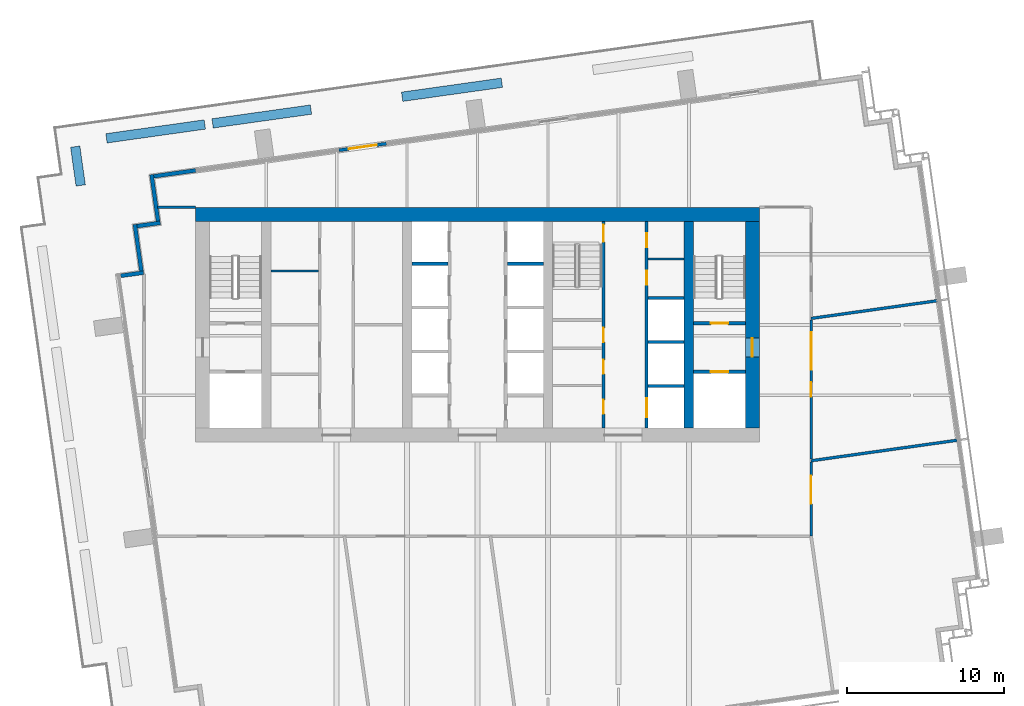
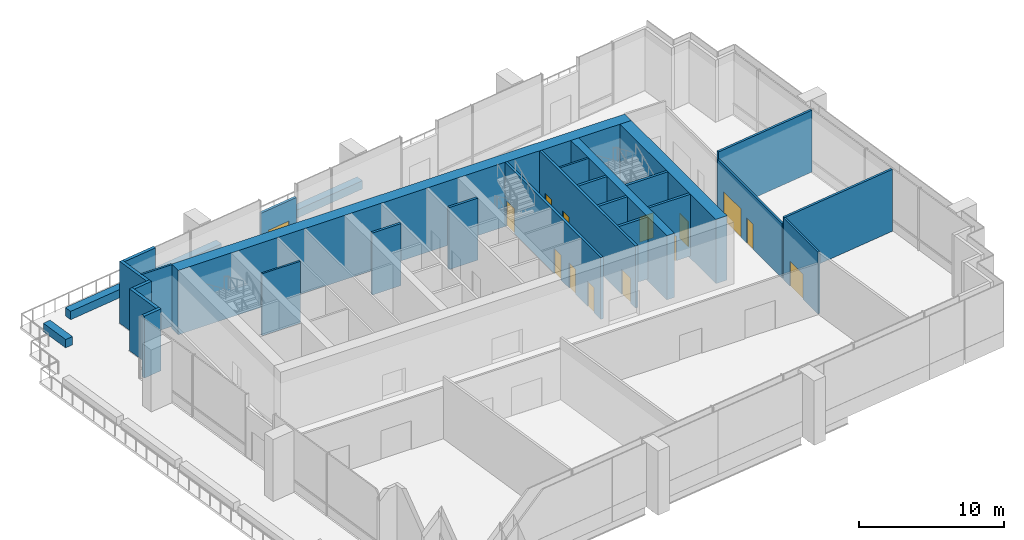
# One storey, part 8 of 18: 29 walls, 13 doors, 1 window, 14 openings.
"""IFC4 building model written with IfcOpenShell, lengths in metres."""

from ifc_helpers import new_model, si_unit, direction, frame, frame_2d, origin, place, context, subcontext, project, spatial, rectangle, extrude, material, layer, layer_set, type_object, element, fill, save


model = new_model("IFC4")

# Units and contexts
model_context = context("Model", 3, precision=1e-05, world=origin(), true_north=direction((0.0, 1.0)))
body_context = subcontext(model_context, "Body", "Model", "MODEL_VIEW")
ifc_project = project(units=[si_unit("LENGTHUNIT", "METRE"), si_unit("AREAUNIT", "SQUARE_METRE"), si_unit("VOLUMEUNIT", "CUBIC_METRE"), si_unit("PLANEANGLEUNIT", "RADIAN"), si_unit("MASSUNIT", "GRAM", prefix="KILO")], contexts=[model_context])

# Site, building, storey
site_placement = place(None, origin())
site = spatial("IfcSite", under=ifc_project, at=site_placement, CompositionType="ELEMENT")
building_placement = place(site_placement, origin())
building = spatial("IfcBuilding", under=site, at=building_placement, Name="Rattan Terrace Tower", CompositionType="ELEMENT")
storey_placement = place(building_placement, frame((0.0, 0.0, 208.10009765625)))
storey = spatial("IfcBuildingStorey", under=building, at=storey_placement, Name="L47", CompositionType="ELEMENT", Elevation=208.10009765625)

# Walls
ifc_material_1 = material(Name="Gypsum board partition")
ifc_layer_1 = layer(ifc_material_1, 0.14990234375)
ifc_layer_set_1 = layer_set([ifc_layer_1], Name="Core partition 150")
wall_type_1 = type_object("IfcWallType", Name="Core partition 150", PredefinedType="PARTITIONING", material=ifc_layer_set_1)
wall_1_placement = place(storey_placement, frame((-13.199951171875, 3.431884765625, 0.0), z_axis=(0.0, 0.0, 1.0), x_axis=(1.0, 0.0, 0.0)))
element("IfcWall", 1, at=wall_1_placement, inside=storey, type_object=wall_type_1, Name="Core room wall", PredefinedType="PARTITIONING", context=body_context, shape_type="SweptSolid", body=[
    extrude(rectangle(XDim=3.050048828125, YDim=0.14990234375, at=frame_2d((1.52490234375, 0.0))), origin(), (0.0, 0.0, 1.0), 5.199951171875),
])
wall_2_placement = place(storey_placement, frame((10.89990234375, 4.199951171875, 0.0), z_axis=(0.0, 0.0, 1.0), x_axis=(1.0, 0.0, 0.0)))
element("IfcWall", 2, at=wall_2_placement, inside=storey, type_object=wall_type_1, Name="Riser room wall", PredefinedType="PARTITIONING", context=body_context, shape_type="SweptSolid", body=[
    extrude(rectangle(XDim=2.300048828125, YDim=0.14990234375, at=frame_2d((1.14990234375, 0.0))), origin(), (0.0, 0.0, 1.0), 5.199951171875),
])

# Wall, opening, door
ifc_material_2 = material(Name="Gypsum board partition")
ifc_layer_2 = layer(ifc_material_2, 0.199951171875)
ifc_layer_set_2 = layer_set([ifc_layer_2], Name="Core partition 200")
wall_type_2 = type_object("IfcWallType", Name="Core partition 200", PredefinedType="PARTITIONING", material=ifc_layer_set_2)
wall_3_placement = place(storey_placement, frame((13.800048828125, -3.0, 0.0), z_axis=(0.0, 0.0, 1.0), x_axis=(1.0, 0.0, 0.0)))
wall_3 = element("IfcWall", 3, at=wall_3_placement, inside=storey, type_object=wall_type_2, Name="Fire-fighting lobby wall", PredefinedType="PARTITIONING", context=body_context, shape_type="SweptSolid", body=[
    extrude(rectangle(XDim=3.300048828125, YDim=0.199951171875, at=frame_2d((1.64990234375, 0.0))), origin(), (0.0, 0.0, 1.0), 5.199951171875),
])
opening_1_placement = place(wall_3_placement, frame((1.10009765625, 0.0, 0.0)))
opening_1 = element("IfcOpeningElement", 4, at=opening_1_placement, cuts=wall_3, Name="Opening L47-LD-FF2", PredefinedType="OPENING", context=body_context, shape_type="SweptSolid", body=[
    extrude(rectangle(XDim=1.10009765625, YDim=2.10009765625, at=frame_2d((0.550048828125, 1.050048828125))), frame((0.0, 0.110595703125, 0.0), z_axis=(0.0, -1.0, 0.0), x_axis=(1.0, 0.0, 0.0)), (0.0, 0.0, 1.0), 0.220947265625),
])
ifc_material_3 = material(Name="Brushed stainless landing door panel")
door_type_1 = type_object("IfcDoorType", Name="Core lift landing door 1100", OperationType="DOUBLE_DOOR_SLIDING", PredefinedType="DOOR", material=ifc_material_3)
door_1_placement = place(opening_1_placement, origin())
door_1 = element("IfcDoor", 5, at=door_1_placement, inside=storey, type_object=door_type_1, Name="Door L47-LD-FF2", OperationType="DOUBLE_DOOR_SLIDING", OverallHeight=2.10009765625, OverallWidth=1.10009765625, PredefinedType="DOOR", context=body_context, shape_type="SweptSolid", body=[
    extrude(rectangle(XDim=1.10009765625, YDim=2.10009765625, at=frame_2d((0.550048828125, 1.050048828125))), frame((0.0, 0.02490234375, 0.0), z_axis=(0.0, -1.0, 0.0), x_axis=(1.0, 0.0, 0.0)), (0.0, 0.0, 1.0), 0.050048828125),
])
fill(opening_1, door_1)

wall_4_placement = place(storey_placement, frame((13.800048828125, 0.10009765625, 0.0), z_axis=(0.0, 0.0, 1.0), x_axis=(1.0, 0.0, 0.0)))
wall_4 = element("IfcWall", 6, at=wall_4_placement, inside=storey, type_object=wall_type_2, Name="Stair enclosure wall", PredefinedType="PARTITIONING", context=body_context, shape_type="SweptSolid", body=[
    extrude(rectangle(XDim=3.300048828125, YDim=0.199951171875, at=frame_2d((1.64990234375, 0.0))), origin(), (0.0, 0.0, 1.0), 5.199951171875),
])
opening_2_placement = place(wall_4_placement, frame((1.10009765625, 0.0, 0.0)))
opening_2 = element("IfcOpeningElement", 7, at=opening_2_placement, cuts=wall_4, Name="Opening L47-D004", PredefinedType="OPENING", context=body_context, shape_type="SweptSolid", body=[
    extrude(rectangle(XDim=1.10009765625, YDim=2.10009765625, at=frame_2d((0.550048828125, 1.050048828125))), frame((0.0, 0.110595703125, 0.0), z_axis=(0.0, -1.0, 0.0), x_axis=(1.0, 0.0, 0.0)), (0.0, 0.0, 1.0), 0.220947265625),
])
ifc_material_4 = material(Name="Hollow-metal fire door leaf")
door_type_2 = type_object("IfcDoorType", Name="Core stair door 1100", OperationType="NOTDEFINED", PredefinedType="DOOR", material=ifc_material_4)
door_2_placement = place(opening_2_placement, origin())
door_2 = element("IfcDoor", 8, at=door_2_placement, inside=storey, type_object=door_type_2, Name="Door L47-D004", OperationType="SINGLE_SWING_LEFT", OverallHeight=2.10009765625, OverallWidth=1.10009765625, PredefinedType="DOOR", context=body_context, shape_type="SweptSolid", body=[
    extrude(rectangle(XDim=1.10009765625, YDim=2.10009765625, at=frame_2d((0.550048828125, 1.050048828125))), frame((0.0, 0.02490234375, 0.0), z_axis=(0.0, -1.0, 0.0), x_axis=(1.0, 0.0, 0.0)), (0.0, 0.0, 1.0), 0.050048828125),
])
fill(opening_2, door_2)

# Wall, openings, doors
wall_5_placement = place(storey_placement, frame((8.050048828125, -6.60009765625, 0.0), z_axis=(0.0, 0.0, 1.0), x_axis=(0.0, 1.0, 0.0)))
wall_5 = element("IfcWall", 9, at=wall_5_placement, inside=storey, type_object=wall_type_2, Name="Lobby wall west", PredefinedType="PARTITIONING", context=body_context, shape_type="SweptSolid", body=[
    extrude(rectangle(XDim=13.2001953125, YDim=0.199951171875, at=frame_2d((6.60009765625, 0.0))), origin(), (0.0, 0.0, 1.0), 5.199951171875),
])
opening_3_placement = place(wall_5_placement, frame((0.909912109375, 0.0, 0.0)))
opening_3 = element("IfcOpeningElement", 10, at=opening_3_placement, cuts=wall_5, Name="Opening L47-D015", PredefinedType="OPENING", context=body_context, shape_type="SweptSolid", body=[
    extrude(rectangle(XDim=0.89990234375, YDim=2.10009765625, at=frame_2d((0.449951171875, 1.050048828125))), frame((0.0, 0.110595703125, 0.0), z_axis=(0.0, -1.0, 0.0), x_axis=(1.0, 0.0, 0.0)), (0.0, 0.0, 1.0), 0.220947265625),
])
opening_4_placement = place(wall_5_placement, frame((3.4599609375, 0.0, 0.0)))
opening_4 = element("IfcOpeningElement", 11, at=opening_4_placement, cuts=wall_5, Name="Opening L47-D016", PredefinedType="OPENING", context=body_context, shape_type="SweptSolid", body=[
    extrude(rectangle(XDim=0.89990234375, YDim=2.10009765625, at=frame_2d((0.449951171875, 1.050048828125))), frame((0.0, 0.110595703125, 0.0), z_axis=(0.0, -1.0, 0.0), x_axis=(1.0, 0.0, 0.0)), (0.0, 0.0, 1.0), 0.220947265625),
])
opening_5_placement = place(wall_5_placement, frame((5.5, 0.0, 0.0)))
opening_5 = element("IfcOpeningElement", 12, at=opening_5_placement, cuts=wall_5, Name="Opening L47-D017", PredefinedType="OPENING", context=body_context, shape_type="SweptSolid", body=[
    extrude(rectangle(XDim=0.89990234375, YDim=2.10009765625, at=frame_2d((0.449951171875, 1.050048828125))), frame((0.0, 0.110595703125, 0.0), z_axis=(0.0, -1.0, 0.0), x_axis=(1.0, 0.0, 0.0)), (0.0, 0.0, 1.0), 0.220947265625),
])
opening_6_placement = place(wall_5_placement, frame((11.89990234375, 0.0, 0.0)))
opening_6 = element("IfcOpeningElement", 13, at=opening_6_placement, cuts=wall_5, Name="Opening L47-D018", PredefinedType="OPENING", context=body_context, shape_type="SweptSolid", body=[
    extrude(rectangle(XDim=1.10009765625, YDim=2.10009765625, at=frame_2d((0.550048828125, 1.050048828125))), frame((0.0, 0.110595703125, 0.0), z_axis=(0.0, -1.0, 0.0), x_axis=(1.0, 0.0, 0.0)), (0.0, 0.0, 1.0), 0.220947265625),
])
ifc_material_5 = material(Name="Hollow-metal fire door leaf")
door_type_3 = type_object("IfcDoorType", Name="Core service room door 900", OperationType="NOTDEFINED", PredefinedType="DOOR", material=ifc_material_5)
door_3_placement = place(opening_5_placement, origin())
door_3 = element("IfcDoor", 14, at=door_3_placement, inside=storey, type_object=door_type_3, Name="Door L47-D017", OperationType="SINGLE_SWING_LEFT", OverallHeight=2.10009765625, OverallWidth=0.89990234375, PredefinedType="DOOR", context=body_context, shape_type="SweptSolid", body=[
    extrude(rectangle(XDim=0.89990234375, YDim=2.10009765625, at=frame_2d((0.449951171875, 1.050048828125))), frame((0.0, 0.02490234375, 0.0), z_axis=(0.0, -1.0, 0.0), x_axis=(1.0, 0.0, 0.0)), (0.0, 0.0, 1.0), 0.050048828125),
])
fill(opening_5, door_3)
door_4_placement = place(opening_6_placement, origin())
door_4 = element("IfcDoor", 15, at=door_4_placement, inside=storey, type_object=door_type_2, Name="Door L47-D018", OperationType="SINGLE_SWING_RIGHT", OverallHeight=2.10009765625, OverallWidth=1.10009765625, PredefinedType="DOOR", context=body_context, shape_type="SweptSolid", body=[
    extrude(rectangle(XDim=1.10009765625, YDim=2.10009765625, at=frame_2d((0.550048828125, 1.050048828125))), frame((0.0, 0.02490234375, 0.0), z_axis=(0.0, -1.0, 0.0), x_axis=(1.0, 0.0, 0.0)), (0.0, 0.0, 1.0), 0.050048828125),
])
fill(opening_6, door_4)
ifc_material_6 = material(Name="Hollow-metal fire door leaf")
door_type_4 = type_object("IfcDoorType", Name="Core toilet door 900", OperationType="NOTDEFINED", PredefinedType="DOOR", material=ifc_material_6)
door_5_placement = place(opening_3_placement, origin())
door_5 = element("IfcDoor", 16, at=door_5_placement, inside=storey, type_object=door_type_4, Name="Door L47-D015", OperationType="SINGLE_SWING_LEFT", OverallHeight=2.10009765625, OverallWidth=0.89990234375, PredefinedType="DOOR", context=body_context, shape_type="SweptSolid", body=[
    extrude(rectangle(XDim=0.89990234375, YDim=2.10009765625, at=frame_2d((0.449951171875, 1.050048828125))), frame((0.0, 0.02490234375, 0.0), z_axis=(0.0, -1.0, 0.0), x_axis=(1.0, 0.0, 0.0)), (0.0, 0.0, 1.0), 0.050048828125),
])
fill(opening_3, door_5)
door_6_placement = place(opening_4_placement, origin())
door_6 = element("IfcDoor", 17, at=door_6_placement, inside=storey, type_object=door_type_4, Name="Door L47-D016", OperationType="SINGLE_SWING_RIGHT", OverallHeight=2.10009765625, OverallWidth=0.89990234375, PredefinedType="DOOR", context=body_context, shape_type="SweptSolid", body=[
    extrude(rectangle(XDim=0.89990234375, YDim=2.10009765625, at=frame_2d((0.449951171875, 1.050048828125))), frame((0.0, 0.02490234375, 0.0), z_axis=(0.0, -1.0, 0.0), x_axis=(1.0, 0.0, 0.0)), (0.0, 0.0, 1.0), 0.050048828125),
])
fill(opening_4, door_6)

# Wall
ifc_material_7 = material(Name="Concrete C50/60", Category="concrete")
ifc_layer_3 = layer(ifc_material_7, 0.89990234375)
ifc_layer_set_3 = layer_set([ifc_layer_3], Name="Core ring wall 900 C50/60")
wall_type_3 = type_object("IfcWallType", Name="Core ring wall 900 C50/60", PredefinedType="SHEAR", material=ifc_layer_set_3)
wall_6_placement = place(storey_placement, frame((-18.0, 7.050048828125, -0.2001953125), z_axis=(0.0, 0.0, 1.0), x_axis=(1.0, 0.0, 0.0)))
element("IfcWall", 18, at=wall_6_placement, inside=storey, type_object=wall_type_3, Name="Rear core wall north", PredefinedType="SHEAR", context=body_context, shape_type="SweptSolid", body=[
    extrude(rectangle(XDim=36.0, YDim=0.89990234375, at=frame_2d((18.0, 0.0))), origin(), (0.0, 0.0, 1.0), 5.400146484375),
])

# Wall, opening, door
wall_7_placement = place(storey_placement, frame((17.550048828125, -6.60009765625, -0.2001953125), z_axis=(0.0, 0.0, 1.0), x_axis=(0.0, 1.0, 0.0)))
wall_7 = element("IfcWall", 19, at=wall_7_placement, inside=storey, type_object=wall_type_3, Name="Rear core wall east", PredefinedType="SHEAR", context=body_context, shape_type="SweptSolid", body=[
    extrude(rectangle(XDim=13.2001953125, YDim=0.89990234375, at=frame_2d((6.60009765625, 0.0))), origin(), (0.0, 0.0, 1.0), 5.400146484375),
])
opening_7_placement = place(wall_7_placement, frame((4.550048828125, 0.0, 0.199951171875)))
opening_7 = element("IfcOpeningElement", 20, at=opening_7_placement, cuts=wall_7, Name="Opening L47-D003", PredefinedType="OPENING", context=body_context, shape_type="SweptSolid", body=[
    extrude(rectangle(XDim=1.199951171875, YDim=2.10009765625, at=frame_2d((0.60009765625, 1.050048828125))), frame((0.0, 0.46044921875, 0.0), z_axis=(0.0, -1.0, 0.0), x_axis=(1.0, 0.0, 0.0)), (0.0, 0.0, 1.0), 0.9208984375),
])
ifc_material_8 = material(Name="Hollow-metal fire door leaf")
door_type_5 = type_object("IfcDoorType", Name="Core fire-fighting lobby door 1200", OperationType="NOTDEFINED", PredefinedType="DOOR", material=ifc_material_8)
door_7_placement = place(opening_7_placement, origin())
door_7 = element("IfcDoor", 21, at=door_7_placement, inside=storey, type_object=door_type_5, Name="Door L47-D003", OperationType="SINGLE_SWING_RIGHT", OverallHeight=2.10009765625, OverallWidth=1.199951171875, PredefinedType="DOOR", context=body_context, shape_type="SweptSolid", body=[
    extrude(rectangle(XDim=1.199951171875, YDim=2.10009765625, at=frame_2d((0.60009765625, 1.050048828125))), frame((0.0, 0.02490234375, 0.0), z_axis=(0.0, -1.0, 0.0), x_axis=(1.0, 0.0, 0.0)), (0.0, 0.0, 1.0), 0.050048828125),
])
fill(opening_7, door_7)

# Wall
ifc_material_9 = material(Name="Concrete C50/60", Category="concrete")
ifc_layer_4 = layer(ifc_material_9, 0.60009765625)
ifc_layer_set_4 = layer_set([ifc_layer_4], Name="Core spine wall 600 C50/60")
wall_type_4 = type_object("IfcWallType", Name="Core spine wall 600 C50/60", PredefinedType="SHEAR", material=ifc_layer_set_4)
wall_8_placement = place(storey_placement, frame((13.5, -6.60009765625, -0.2001953125), z_axis=(0.0, 0.0, 1.0), x_axis=(0.0, 1.0, 0.0)))
element("IfcWall", 22, at=wall_8_placement, inside=storey, type_object=wall_type_4, Name="Core spine wall 4", PredefinedType="SHEAR", context=body_context, shape_type="SweptSolid", body=[
    extrude(rectangle(XDim=13.2001953125, YDim=0.60009765625, at=frame_2d((6.60009765625, 0.0))), origin(), (0.0, 0.0, 1.0), 5.400146484375),
])

# Wall, opening, door
ifc_material_10 = material(Name="Insulated aluminium-clad stud wall", Category="aluminium")
ifc_layer_5 = layer(ifc_material_10, 0.199951171875)
ifc_layer_set_5 = layer_set([ifc_layer_5], Name="Facade Door Wall 200")
wall_type_5 = type_object("IfcWallType", Name="Facade Door Wall 200", PredefinedType="SOLIDWALL", material=ifc_layer_set_5)
wall_9_placement = place(storey_placement, frame((-5.808837890625, 11.571533203125, 0.0), z_axis=(0.0, 0.0, 1.0), x_axis=(-0.990258117356, -0.13924389039, 0.0)))
wall_9 = element("IfcWall", 23, at=wall_9_placement, inside=storey, type_object=wall_type_5, Name="Terrace door wall L47-13", PredefinedType="SOLIDWALL", context=body_context, shape_type="SweptSolid", body=[
    extrude(rectangle(XDim=3.0771484375, YDim=0.199951171875, at=frame_2d((1.53857421875, 0.0))), origin(), (0.0, 0.0, 1.0), 4.099853515625),
])
opening_8_placement = place(wall_9_placement, frame((0.638427734375, 0.0, 0.0)))
opening_8 = element("IfcOpeningElement", 24, at=opening_8_placement, cuts=wall_9, Name="Opening L47-D703", PredefinedType="OPENING", context=body_context, shape_type="SweptSolid", body=[
    extrude(rectangle(XDim=1.800048828125, YDim=2.39990234375, at=frame_2d((0.89990234375, 1.199951171875))), frame((0.0, 0.110595703125, 0.0), z_axis=(0.0, -1.0, 0.0), x_axis=(1.0, 0.0, 0.0)), (0.0, 0.0, 1.0), 0.220947265625),
])
ifc_material_11 = material(Name="Aluminium and clear glass", Category="aluminium")
door_type_6 = type_object("IfcDoorType", Name="Facade Terrace Door 1800", OperationType="DOUBLE_DOOR_SINGLE_SWING", PredefinedType="DOOR", material=ifc_material_11)
door_8_placement = place(opening_8_placement, origin())
door_8 = element("IfcDoor", 25, at=door_8_placement, inside=storey, type_object=door_type_6, Name="Terrace door L47-D703", OperationType="DOUBLE_DOOR_SINGLE_SWING", OverallHeight=2.39990234375, OverallWidth=1.800048828125, PredefinedType="DOOR", context=body_context, shape_type="SweptSolid", body=[
    extrude(rectangle(XDim=1.800048828125, YDim=2.39990234375, at=frame_2d((0.89990234375, 1.199951171875))), frame((0.0, 0.02490234375, 0.0), z_axis=(0.0, -1.0, 0.0), x_axis=(1.0, 0.0, 0.0)), (0.0, 0.0, 1.0), 0.050048828125),
])
fill(opening_8, door_8)

# Walls
ifc_material_12 = material(Name="Precast concrete C30/37", Category="concrete")
ifc_layer_6 = layer(ifc_material_12, 0.60009765625)
ifc_layer_set_6 = layer_set([ifc_layer_6], Name="Facade Planter Wall 600")
wall_type_6 = type_object("IfcWallType", Name="Facade Planter Wall 600", PredefinedType="SOLIDWALL", material=ifc_layer_set_6)
wall_10_placement = place(storey_placement, frame((-25.341064453125, 8.89794921875, 0.0), z_axis=(0.0, 0.0, 1.0), x_axis=(-0.139521109212, 0.99021909701, 0.0)))
element("IfcWall", 26, at=wall_10_placement, inside=storey, type_object=wall_type_6, Name="PLANTER bed L47-6", PredefinedType="SOLIDWALL", context=body_context, shape_type="SweptSolid", body=[
    extrude(rectangle(XDim=2.50048828125, YDim=0.60009765625, at=frame_2d((1.250244140625, 0.0))), origin(), (0.0, 0.0, 1.0), 0.699951171875),
])
wall_11_placement = place(storey_placement, frame((-23.694091796875, 11.906982421875, 0.0), z_axis=(0.0, 0.0, 1.0), x_axis=(0.99026113974, 0.139222394466, 0.0)))
element("IfcWall", 27, at=wall_11_placement, inside=storey, type_object=wall_type_6, Name="PLANTER bed L47-7", PredefinedType="SOLIDWALL", context=body_context, shape_type="SweptSolid", body=[
    extrude(rectangle(XDim=6.3427734375, YDim=0.60009765625, at=frame_2d((3.17138671875, 0.0))), origin(), (0.0, 0.0, 1.0), 0.699951171875),
])
wall_12_placement = place(storey_placement, frame((-16.91796875, 12.860107421875, 0.0), z_axis=(0.0, 0.0, 1.0), x_axis=(0.990287655653, 0.139033661609, 0.0)))
element("IfcWall", 28, at=wall_12_placement, inside=storey, type_object=wall_type_6, Name="PLANTER bed L47-8", PredefinedType="SOLIDWALL", context=body_context, shape_type="SweptSolid", body=[
    extrude(rectangle(XDim=6.342529296875, YDim=0.60009765625, at=frame_2d((3.17138671875, 0.0))), origin(), (0.0, 0.0, 1.0), 0.699951171875),
])
wall_13_placement = place(storey_placement, frame((-4.81201171875, 14.56103515625, 0.0), z_axis=(0.0, 0.0, 1.0), x_axis=(0.990275805224, 0.13911804192, 0.0)))
element("IfcWall", 29, at=wall_13_placement, inside=storey, type_object=wall_type_6, Name="PLANTER bed L47-9", PredefinedType="SOLIDWALL", context=body_context, shape_type="SweptSolid", body=[
    extrude(rectangle(XDim=6.426513671875, YDim=0.60009765625, at=frame_2d((3.21337890625, 0.0))), origin(), (0.0, 0.0, 1.0), 0.699951171875),
])
ifc_material_13 = material(Name="Insulated aluminium-clad stud wall", Category="aluminium")
ifc_layer_7 = layer(ifc_material_13, 0.25)
ifc_layer_set_7 = layer_set([ifc_layer_7], Name="Facade Riser Wall 250")
wall_type_7 = type_object("IfcWallType", Name="Facade Riser Wall 250", PredefinedType="SOLIDWALL", material=ifc_layer_set_7)
wall_14_placement = place(storey_placement, frame((-17.995361328125, 9.858642578125, 0.0), z_axis=(0.0, 0.0, 1.0), x_axis=(-0.99024510326, -0.139336411139, 0.0)))
element("IfcWall", 30, at=wall_14_placement, inside=storey, type_object=wall_type_7, Name="Riser wall L47-14", PredefinedType="SOLIDWALL", context=body_context, shape_type="SweptSolid", body=[
    extrude(rectangle(XDim=2.705322265625, YDim=0.25, at=frame_2d((1.3525390625, 0.0))), origin(), (0.0, 0.0, 1.0), 5.199951171875),
])
wall_15_placement = place(storey_placement, frame((-20.8154296875, 9.588134765625, 0.0), z_axis=(0.0, 0.0, 1.0), x_axis=(0.138983028379, -0.9902947631, 0.0)))
element("IfcWall", 31, at=wall_15_placement, inside=storey, type_object=wall_type_7, Name="Riser wall L47-15", PredefinedType="SOLIDWALL", context=body_context, shape_type="SweptSolid", body=[
    extrude(rectangle(XDim=3.000244140625, YDim=0.25, at=frame_2d((1.5, 0.0))), origin(), (0.0, 0.0, 1.0), 5.199951171875),
])
wall_16_placement = place(storey_placement, frame((-20.25732421875, 6.510498046875, 0.0), z_axis=(0.0, 0.0, 1.0), x_axis=(-0.990330117064, -0.138730887823, 0.0)))
element("IfcWall", 32, at=wall_16_placement, inside=storey, type_object=wall_type_7, Name="Riser wall L47-16", PredefinedType="SOLIDWALL", context=body_context, shape_type="SweptSolid", body=[
    extrude(rectangle(XDim=1.499267578125, YDim=0.25, at=frame_2d((0.74951171875, 0.0))), origin(), (0.0, 0.0, 1.0), 5.199951171875),
])
wall_17_placement = place(storey_placement, frame((-21.88330078125, 6.408935546875, 0.0), z_axis=(0.0, 0.0, 1.0), x_axis=(0.139324658755, -0.990246756855, 0.0)))
element("IfcWall", 33, at=wall_17_placement, inside=storey, type_object=wall_type_7, Name="Riser wall L47-17", PredefinedType="SOLIDWALL", context=body_context, shape_type="SweptSolid", body=[
    extrude(rectangle(XDim=3.0, YDim=0.25, at=frame_2d((1.5, 0.0))), origin(), (0.0, 0.0, 1.0), 5.199951171875),
])
wall_18_placement = place(storey_placement, frame((-21.32421875, 3.331787109375, 0.0), z_axis=(0.0, 0.0, 1.0), x_axis=(-0.99024837765, -0.13931313851, 0.0)))
element("IfcWall", 34, at=wall_18_placement, inside=storey, type_object=wall_type_7, Name="Riser wall L47-18", PredefinedType="SOLIDWALL", context=body_context, shape_type="SweptSolid", body=[
    extrude(rectangle(XDim=1.4755859375, YDim=0.25, at=frame_2d((0.73779296875, 0.0))), origin(), (0.0, 0.0, 1.0), 5.199951171875),
])
ifc_material_14 = material(Name="Double steel stud acoustic partition, gypsum board, mineral wool, fire rated", Category="steel")
ifc_layer_8 = layer(ifc_material_14, 0.179931640625)
ifc_layer_set_8 = layer_set([ifc_layer_8], Name="Floors Acoustic Party Wall 180")
wall_type_8 = type_object("IfcWallType", Name="Floors Acoustic Party Wall 180", PredefinedType="PARTITIONING", material=ifc_layer_set_8)
wall_19_placement = place(storey_placement, frame((21.300048828125, 0.405029296875, 0.0), z_axis=(0.0, 0.0, 1.0), x_axis=(0.990272463684, 0.139141825733, 0.0)))
element("IfcWall", 35, at=wall_19_placement, inside=storey, type_object=wall_type_8, Name="pt-L47-013", PredefinedType="PARTITIONING", context=body_context, shape_type="SweptSolid", body=[
    extrude(rectangle(XDim=8.14306640625, YDim=0.179931640625, at=frame_2d((4.071533203125, 0.0))), origin(), (0.0, 0.0, 1.0), 5.199951171875),
])
wall_20_placement = place(storey_placement, frame((30.616943359375, -7.3740234375, 0.0), z_axis=(0.0, 0.0, 1.0), x_axis=(-0.990272786483, -0.139139528356, 0.0)))
element("IfcWall", 36, at=wall_20_placement, inside=storey, type_object=wall_type_8, Name="pt-L47-014", PredefinedType="PARTITIONING", context=body_context, shape_type="SweptSolid", body=[
    extrude(rectangle(XDim=9.408447265625, YDim=0.179931640625, at=frame_2d((4.7041015625, 0.0))), origin(), (0.0, 0.0, 1.0), 5.199951171875),
])

# Wall, openings, door, window
ifc_material_15 = material(Name="Gypsum board partition on steel studs, fire rated", Category="steel")
ifc_layer_9 = layer(ifc_material_15, 0.14990234375)
ifc_layer_set_9 = layer_set([ifc_layer_9], Name="Floors Tenancy Wall 150")
wall_type_9 = type_object("IfcWallType", Name="Floors Tenancy Wall 150", PredefinedType="PARTITIONING", material=ifc_layer_set_9)
wall_21_placement = place(storey_placement, frame((21.300048828125, 0.31591796875, 0.0), z_axis=(0.0, 0.0, 1.0), x_axis=(0.0, -1.0, 0.0)))
wall_21 = element("IfcWall", 37, at=wall_21_placement, inside=storey, type_object=wall_type_9, Name="pt-L47-005", PredefinedType="PARTITIONING", context=body_context, shape_type="SweptSolid", body=[
    extrude(rectangle(XDim=8.89794921875, YDim=0.14990234375, at=frame_2d((4.448974609375, 0.0))), origin(), (0.0, 0.0, 1.0), 4.599853515625),
])
opening_9_placement = place(wall_21_placement, frame((3.9990234375, 0.0, 0.0)))
opening_9 = element("IfcOpeningElement", 38, at=opening_9_placement, cuts=wall_21, Name="Opening L47-D104", PredefinedType="OPENING", context=body_context, shape_type="SweptSolid", body=[
    extrude(rectangle(XDim=0.89990234375, YDim=2.10009765625, at=frame_2d((0.449951171875, 1.050048828125))), frame((0.0, 0.08544921875, 0.0), z_axis=(0.0, -1.0, 0.0), x_axis=(1.0, 0.0, 0.0)), (0.0, 0.0, 1.0), 0.1708984375),
])
opening_10_placement = place(wall_21_placement, frame((0.799072265625, 0.0, 0.0)))
opening_10 = element("IfcOpeningElement", 39, at=opening_10_placement, cuts=wall_21, Name="Opening L47-W103", PredefinedType="OPENING", context=body_context, shape_type="SweptSolid", body=[
    extrude(rectangle(XDim=2.39990234375, YDim=2.39990234375, at=frame_2d((1.199951171875, 1.199951171875))), frame((0.0, 0.08544921875, 0.0), z_axis=(0.0, -1.0, 0.0), x_axis=(1.0, 0.0, 0.0)), (0.0, 0.0, 1.0), 0.1708984375),
])
ifc_material_16 = material(Name="Steel fire door set", Category="steel")
door_type_7 = type_object("IfcDoorType", Name="Floors Fire Door FD30S 900x2100", OperationType="NOTDEFINED", PredefinedType="DOOR", material=ifc_material_16)
door_9_placement = place(opening_9_placement, origin())
door_9 = element("IfcDoor", 40, at=door_9_placement, inside=storey, type_object=door_type_7, Name="d-L47-104", OperationType="SINGLE_SWING_LEFT", OverallHeight=2.10009765625, OverallWidth=0.89990234375, PredefinedType="DOOR", context=body_context, shape_type="SweptSolid", body=[
    extrude(rectangle(XDim=0.89990234375, YDim=2.10009765625, at=frame_2d((0.449951171875, 1.050048828125))), frame((0.0, 0.02490234375, 0.0), z_axis=(0.0, -1.0, 0.0), x_axis=(1.0, 0.0, 0.0)), (0.0, 0.0, 1.0), 0.050048828125),
])
fill(opening_9, door_9)
ifc_material_17 = material(Name="Glass, clear, fixed in aluminium frame", Category="aluminium")
window_type = type_object("IfcWindowType", Name="Interior Glazed Screen 2400x2400", PartitioningType="SINGLE_PANEL", PredefinedType="WINDOW", material=ifc_material_17)
window_placement = place(opening_10_placement, origin())
window = element("IfcWindow", 41, at=window_placement, inside=storey, type_object=window_type, Name="w-L47-103", OverallHeight=2.39990234375, OverallWidth=2.39990234375, PartitioningType="SINGLE_PANEL", PredefinedType="WINDOW", context=body_context, shape_type="SweptSolid", body=[
    extrude(rectangle(XDim=2.39990234375, YDim=2.39990234375, at=frame_2d((1.199951171875, 1.199951171875))), frame((0.0, 0.030029296875, 0.0), z_axis=(0.0, -1.0, 0.0), x_axis=(1.0, 0.0, 0.0)), (0.0, 0.0, 1.0), 0.06005859375),
])
fill(opening_10, window)

# Wall
wall_22_placement = place(storey_placement, frame((-20.430908203125, 7.5, 0.0), z_axis=(0.0, 0.0, 1.0), x_axis=(1.0, 0.0, 0.0)))
element("IfcWall", 42, at=wall_22_placement, inside=storey, type_object=wall_type_9, Name="pt-L47-006", PredefinedType="PARTITIONING", context=body_context, shape_type="SweptSolid", body=[
    extrude(rectangle(XDim=2.430908203125, YDim=0.14990234375, at=frame_2d((1.21533203125, 0.0))), origin(), (0.0, 0.0, 1.0), 5.199951171875),
])

# Wall, opening, door
wall_23_placement = place(storey_placement, frame((21.300048828125, -8.77197265625, 0.0), z_axis=(0.0, 0.0, 1.0), x_axis=(0.0, -1.0, 0.0)))
wall_23 = element("IfcWall", 43, at=wall_23_placement, inside=storey, type_object=wall_type_9, Name="pt-L47-009", PredefinedType="PARTITIONING", context=body_context, shape_type="SweptSolid", body=[
    extrude(rectangle(XDim=4.72802734375, YDim=0.14990234375, at=frame_2d((2.364013671875, 0.0))), origin(), (0.0, 0.0, 1.0), 5.199951171875),
])
opening_11_placement = place(wall_23_placement, frame((0.85693359375, 0.0, 0.0)))
opening_11 = element("IfcOpeningElement", 44, at=opening_11_placement, cuts=wall_23, Name="Opening L47-D106", PredefinedType="OPENING", context=body_context, shape_type="SweptSolid", body=[
    extrude(rectangle(XDim=1.800048828125, YDim=2.10009765625, at=frame_2d((0.89990234375, 1.050048828125))), frame((0.0, 0.08544921875, 0.0), z_axis=(0.0, -1.0, 0.0), x_axis=(1.0, 0.0, 0.0)), (0.0, 0.0, 1.0), 0.1708984375),
])
ifc_material_18 = material(Name="Steel fire door set", Category="steel")
door_type_8 = type_object("IfcDoorType", Name="Floors Fire Door Pair FD30S 1800x2100", OperationType="NOTDEFINED", PredefinedType="DOOR", material=ifc_material_18)
door_10_placement = place(opening_11_placement, origin())
door_10 = element("IfcDoor", 45, at=door_10_placement, inside=storey, type_object=door_type_8, Name="d-L47-106", OperationType="DOUBLE_DOOR_SINGLE_SWING", OverallHeight=2.10009765625, OverallWidth=1.800048828125, PredefinedType="DOOR", context=body_context, shape_type="SweptSolid", body=[
    extrude(rectangle(XDim=1.800048828125, YDim=2.10009765625, at=frame_2d((0.89990234375, 1.050048828125))), frame((0.0, 0.02490234375, 0.0), z_axis=(0.0, -1.0, 0.0), x_axis=(1.0, 0.0, 0.0)), (0.0, 0.0, 1.0), 0.050048828125),
])
fill(opening_11, door_10)

# Walls
ifc_material_19 = material(Name="Gypsum shaft wall system")
ifc_layer_10 = layer(ifc_material_19, 0.199951171875)
ifc_layer_set_10 = layer_set([ifc_layer_10], Name="Lift shaft wall 200")
wall_type_10 = type_object("IfcWallType", Name="Lift shaft wall 200", PredefinedType="PARTITIONING", material=ifc_layer_set_10)
for number, where, z_axis, x_axis, name in (
    (46, (-4.199951171875, 3.89990234375, 0.0), (0.0, 0.0, 1.0), (1.0, 0.0, 0.0), "Lift shaft wall"),
    (47, (1.89990234375, 3.89990234375, 0.0), (0.0, 0.0, 1.0), (1.0, 0.0, 0.0), "Lift shaft wall"),
):
    element("IfcWall", number, at=place(storey_placement, frame(where, z_axis=z_axis, x_axis=x_axis)), inside=storey, type_object=wall_type_10, Name=name, PredefinedType="PARTITIONING", context=body_context, shape_type="SweptSolid", body=[
        extrude(rectangle(XDim=2.300048828125, YDim=0.199951171875, at=frame_2d((1.14990234375, 0.0))), origin(), (0.0, 0.0, 1.0), 5.199951171875),
    ])

# Wall, openings, doors
wall_24_placement = place(storey_placement, frame((10.800048828125, -6.60009765625, 0.0), z_axis=(0.0, 0.0, 1.0), x_axis=(0.0, 1.0, 0.0)))
wall_24 = element("IfcWall", 48, at=wall_24_placement, inside=storey, type_object=wall_type_10, Name="Lift shaft front wall", PredefinedType="PARTITIONING", context=body_context, shape_type="SweptSolid", body=[
    extrude(rectangle(XDim=13.2001953125, YDim=0.199951171875, at=frame_2d((6.60009765625, 0.0))), origin(), (0.0, 0.0, 1.0), 5.199951171875),
])
opening_12_placement = place(wall_24_placement, frame((0.699951171875, 0.0, 0.0)))
opening_12 = element("IfcOpeningElement", 49, at=opening_12_placement, cuts=wall_24, Name="Opening L47-LD-SV1", PredefinedType="OPENING", context=body_context, shape_type="SweptSolid", body=[
    extrude(rectangle(XDim=1.199951171875, YDim=2.10009765625, at=frame_2d((0.60009765625, 1.050048828125))), frame((0.0, 0.110595703125, 0.0), z_axis=(0.0, -1.0, 0.0), x_axis=(1.0, 0.0, 0.0)), (0.0, 0.0, 1.0), 0.220947265625),
])
opening_13_placement = place(wall_24_placement, frame((9.14990234375, 0.0, 0.0)))
opening_13 = element("IfcOpeningElement", 50, at=opening_13_placement, cuts=wall_24, Name="Opening L47-D020", PredefinedType="OPENING", context=body_context, shape_type="SweptSolid", body=[
    extrude(rectangle(XDim=0.89990234375, YDim=2.10009765625, at=frame_2d((0.449951171875, 1.050048828125))), frame((0.0, 0.110595703125, 0.0), z_axis=(0.0, -1.0, 0.0), x_axis=(1.0, 0.0, 0.0)), (0.0, 0.0, 1.0), 0.220947265625),
])
opening_14_placement = place(wall_24_placement, frame((11.550048828125, 0.0, 0.0)))
opening_14 = element("IfcOpeningElement", 51, at=opening_14_placement, cuts=wall_24, Name="Opening L47-D021", PredefinedType="OPENING", context=body_context, shape_type="SweptSolid", body=[
    extrude(rectangle(XDim=0.89990234375, YDim=2.10009765625, at=frame_2d((0.449951171875, 1.050048828125))), frame((0.0, 0.110595703125, 0.0), z_axis=(0.0, -1.0, 0.0), x_axis=(1.0, 0.0, 0.0)), (0.0, 0.0, 1.0), 0.220947265625),
])
ifc_material_20 = material(Name="Brushed stainless landing door panel")
door_type_9 = type_object("IfcDoorType", Name="Core lift landing door 1200", OperationType="DOUBLE_DOOR_SLIDING", PredefinedType="DOOR", material=ifc_material_20)
door_11_placement = place(opening_12_placement, origin())
door_11 = element("IfcDoor", 52, at=door_11_placement, inside=storey, type_object=door_type_9, Name="Door L47-LD-SV1", OperationType="DOUBLE_DOOR_SLIDING", OverallHeight=2.10009765625, OverallWidth=1.199951171875, PredefinedType="DOOR", context=body_context, shape_type="SweptSolid", body=[
    extrude(rectangle(XDim=1.199951171875, YDim=2.10009765625, at=frame_2d((0.60009765625, 1.050048828125))), frame((0.0, 0.02490234375, 0.0), z_axis=(0.0, -1.0, 0.0), x_axis=(1.0, 0.0, 0.0)), (0.0, 0.0, 1.0), 0.050048828125),
])
fill(opening_12, door_11)
ifc_material_21 = material(Name="Hollow-metal fire door leaf")
door_type_10 = type_object("IfcDoorType", Name="Core riser door 900", OperationType="NOTDEFINED", PredefinedType="DOOR", material=ifc_material_21)
door_12_placement = place(opening_13_placement, origin())
door_12 = element("IfcDoor", 53, at=door_12_placement, inside=storey, type_object=door_type_10, Name="Door L47-D020", OperationType="SINGLE_SWING_LEFT", OverallHeight=2.10009765625, OverallWidth=0.89990234375, PredefinedType="DOOR", context=body_context, shape_type="SweptSolid", body=[
    extrude(rectangle(XDim=0.89990234375, YDim=2.10009765625, at=frame_2d((0.449951171875, 1.050048828125))), frame((0.0, 0.02490234375, 0.0), z_axis=(0.0, -1.0, 0.0), x_axis=(1.0, 0.0, 0.0)), (0.0, 0.0, 1.0), 0.050048828125),
])
fill(opening_13, door_12)
door_13_placement = place(opening_14_placement, origin())
door_13 = element("IfcDoor", 54, at=door_13_placement, inside=storey, type_object=door_type_10, Name="Door L47-D021", OperationType="SINGLE_SWING_RIGHT", OverallHeight=2.10009765625, OverallWidth=0.89990234375, PredefinedType="DOOR", context=body_context, shape_type="SweptSolid", body=[
    extrude(rectangle(XDim=0.89990234375, YDim=2.10009765625, at=frame_2d((0.449951171875, 1.050048828125))), frame((0.0, 0.02490234375, 0.0), z_axis=(0.0, -1.0, 0.0), x_axis=(1.0, 0.0, 0.0)), (0.0, 0.0, 1.0), 0.050048828125),
])
fill(opening_14, door_13)

# Walls
for number, where, z_axis, x_axis, name in (
    (55, (10.89990234375, -3.89990234375, 0.0), (0.0, 0.0, 1.0), (1.0, 0.0, 0.0), "Lift shaft wall"),
    (56, (10.89990234375, -1.10009765625, 0.0), (0.0, 0.0, 1.0), (1.0, 0.0, 0.0), "Lift shaft wall"),
    (57, (10.89990234375, 1.699951171875, 0.0), (0.0, 0.0, 1.0), (1.0, 0.0, 0.0), "Lift shaft wall"),
):
    element("IfcWall", number, at=place(storey_placement, frame(where, z_axis=z_axis, x_axis=x_axis)), inside=storey, type_object=wall_type_10, Name=name, PredefinedType="PARTITIONING", context=body_context, shape_type="SweptSolid", body=[
        extrude(rectangle(XDim=2.300048828125, YDim=0.199951171875, at=frame_2d((1.14990234375, 0.0))), origin(), (0.0, 0.0, 1.0), 5.199951171875),
    ])

save(model, "model.ifc")
